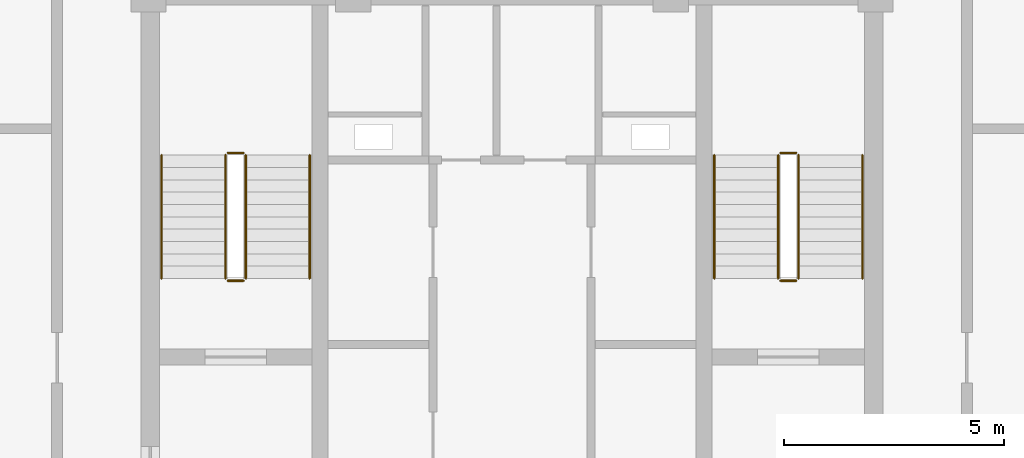
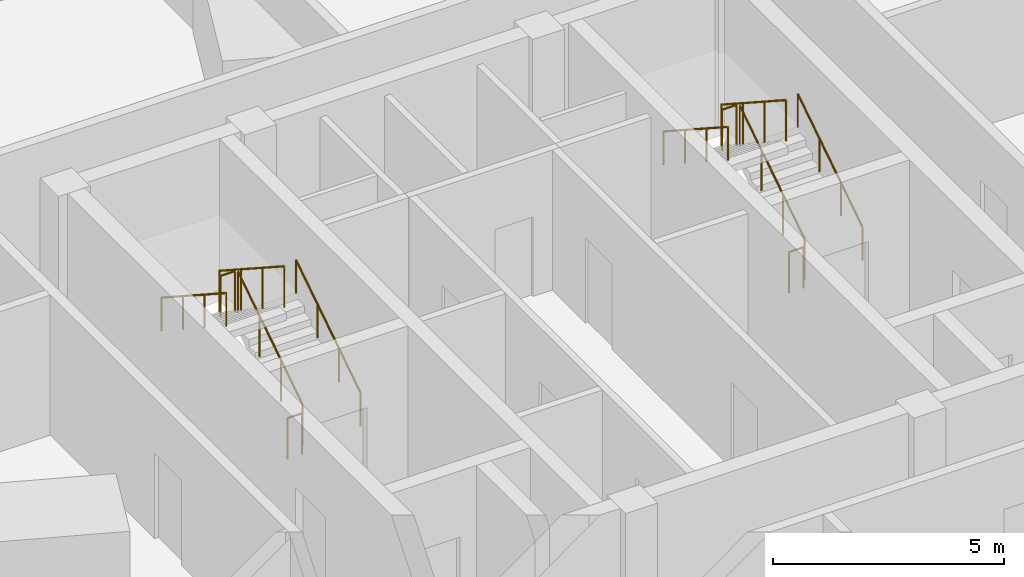
# One storey, part 25 of 26: 12 railings.
"""IFC4 building model written with IfcOpenShell, lengths in metres."""

import ifcopenshell
import ifcopenshell.guid

model = None  # the IFC model being written
_history = None  # IfcOwnerHistory: only IFC2X3 demands one
_inside = {}  # id of a spatial element -> (the spatial element, [elements in it])
_under = {}  # id of a project, library or spatial element -> (it, [spatial elements below it])
_declared = {}  # id of a project -> (the project, [libraries it declares])
_typed = {}  # id of a type object -> (the type object, [elements of that type])
_made_of = {}  # id of a material, layer set ... -> (it, [elements and type objects made of it])


def new_model(schema):
    """Start an empty IFC model of exactly this schema.

    Asked for "IFC4X3", IfcOpenShell would pick the latest addendum, in which some entities
    have other attributes; the version numbers below select the first issue.
    IFC2X3 requires an IfcOwnerHistory on every rooted entity: one is made here for all.
    """
    global model, _history
    if schema == "IFC4X3":
        model = ifcopenshell.file(schema_version=(4, 3, 0, 0))
    else:
        model = ifcopenshell.file(schema=schema)
    _inside.clear()
    _under.clear()
    _declared.clear()
    _typed.clear()
    _made_of.clear()
    _history = None
    if model.schema == "IFC2X3":
        org = make("IfcOrganization", Name="unknown")
        user = make(
            "IfcPersonAndOrganization",
            ThePerson=make("IfcPerson", FamilyName="unknown"),
            TheOrganization=org,
        )
        app = make(
            "IfcApplication",
            ApplicationDeveloper=org,
            Version="unknown",
            ApplicationFullName="unknown",
            ApplicationIdentifier="unknown",
        )
        _history = make(
            "IfcOwnerHistory",
            OwningUser=user,
            OwningApplication=app,
            ChangeAction="ADDED",
            CreationDate=0,
        )
    return model


def make(cls, **values):
    """One entity of the class cls with the attributes given. An attribute that is None is left unset."""
    return model.create_entity(
        cls, **{name: value for name, value in values.items() if value is not None}
    )


def rooted(cls, **values):
    """An entity with a GlobalId (a new one), such as an element, a storey or a relation."""
    return make(cls, GlobalId=ifcopenshell.guid.new(), OwnerHistory=_history, **values)


def si_unit(unit_type, name, prefix=None):
    """IfcSIUnit, for example si_unit("LENGTHUNIT", "METRE", prefix="MILLI")."""
    return make("IfcSIUnit", UnitType=unit_type, Prefix=prefix, Name=name)


def assignment(units):
    """IfcUnitAssignment: the units of a project."""
    return None if units is None else make("IfcUnitAssignment", Units=units)


def point(xyz):
    """IfcCartesianPoint."""
    return None if xyz is None else make("IfcCartesianPoint", Coordinates=xyz)


def direction(xyz):
    """IfcDirection."""
    return None if xyz is None else make("IfcDirection", DirectionRatios=xyz)


def frame(location, z_axis=None, x_axis=None):
    """IfcAxis2Placement3D, a coordinate frame: its origin and axes. An axis left out is left unset."""
    return make(
        "IfcAxis2Placement3D",
        Location=point(location),
        Axis=direction(z_axis),
        RefDirection=direction(x_axis),
    )


def frame_2d(location, x_axis=None):
    """IfcAxis2Placement2D, a coordinate frame in the plane: its origin and x axis."""
    return make(
        "IfcAxis2Placement2D", Location=point(location), RefDirection=direction(x_axis)
    )


def origin():
    """The frame at (0, 0, 0) with its axes left unset."""
    return frame((0.0, 0.0, 0.0))


def origin_2d():
    """The frame at (0, 0) in the plane with its x axis left unset."""
    return frame_2d((0.0, 0.0))


def place(relative_to, where):
    """IfcLocalPlacement: puts the frame where relative to a parent placement (None: the world)."""
    return make(
        "IfcLocalPlacement", PlacementRelTo=relative_to, RelativePlacement=where
    )


def context(
    kind, dimensions, precision=None, world=None, true_north=None, identifier=None
):
    """IfcGeometricRepresentationContext, for example the 3D "Model" context."""
    return make(
        "IfcGeometricRepresentationContext",
        ContextIdentifier=identifier,
        ContextType=kind,
        CoordinateSpaceDimension=dimensions,
        Precision=precision,
        WorldCoordinateSystem=world,
        TrueNorth=true_north,
    )


def subcontext(parent, identifier, kind, view, scale=None):
    """IfcGeometricRepresentationSubContext, for example "Body" below "Model"."""
    return make(
        "IfcGeometricRepresentationSubContext",
        ContextIdentifier=identifier,
        ContextType=kind,
        ParentContext=parent,
        TargetScale=scale,
        TargetView=view,
    )


def project(units=None, contexts=None):
    """IfcProject with its units and contexts."""
    return rooted(
        "IfcProject",
        Name="project",
        RepresentationContexts=contexts,
        UnitsInContext=assignment(units),
    )


def spatial(cls, under=None, at=None, **own):
    """A site, building, storey or space (cls), placed at a placement, below another one or the project."""
    s = rooted(cls, ObjectPlacement=at, **own)
    if under is not None:
        _under.setdefault(under.id(), (under, []))[1].append(s)
    return s


def profile(cls, at=None, kind="AREA", **sizes):
    """A parametric profile (cls). Its sizes go by their IFC names, for example OverallWidth=200.0."""
    return make(cls, ProfileType=kind, Position=at, **sizes)


def circle(**sizes):
    """IfcCircleProfileDef."""
    return profile("IfcCircleProfileDef", **sizes)


def extrude(swept, where, along, depth):
    """IfcExtrudedAreaSolid: the profile swept, set in the frame where, extruded along a direction by depth."""
    return make(
        "IfcExtrudedAreaSolid",
        SweptArea=swept,
        Position=where,
        ExtrudedDirection=direction(along),
        Depth=depth,
    )


def shape(context_of_items, identifier, shape_type, items):
    """IfcShapeRepresentation: the items that make up one representation, for example the "Body"."""
    return make(
        "IfcShapeRepresentation",
        ContextOfItems=context_of_items,
        RepresentationIdentifier=identifier,
        RepresentationType=shape_type,
        Items=items,
    )


def source(mapping_origin, context_of_items, identifier, shape_type, items):
    """IfcRepresentationMap: a shape defined once, which mapped items show again and again."""
    return make(
        "IfcRepresentationMap",
        MappingOrigin=mapping_origin,
        MappedRepresentation=shape(context_of_items, identifier, shape_type, items),
    )


def transform(
    local_origin,
    x_axis=None,
    y_axis=None,
    z_axis=None,
    scale=None,
    scale2=None,
    scale3=None,
    uniform=True,
):
    """IfcCartesianTransformationOperator3D, or its non-uniform kind. x_axis, y_axis, z_axis: its Axis1, 2, 3."""
    if uniform:
        return make(
            "IfcCartesianTransformationOperator3D",
            Axis1=direction(x_axis),
            Axis2=direction(y_axis),
            LocalOrigin=point(local_origin),
            Scale=scale,
            Axis3=direction(z_axis),
        )
    return make(
        "IfcCartesianTransformationOperator3DnonUniform",
        Axis1=direction(x_axis),
        Axis2=direction(y_axis),
        LocalOrigin=point(local_origin),
        Scale=scale,
        Axis3=direction(z_axis),
        Scale2=scale2,
        Scale3=scale3,
    )


def mapped(mapping_source, mapping_target):
    """IfcMappedItem: shows the shape of a source again, moved by a transform."""
    return make(
        "IfcMappedItem", MappingSource=mapping_source, MappingTarget=mapping_target
    )


def material(Name=None, Category=None):
    """IfcMaterial."""
    return make("IfcMaterial", Name=Name, Category=Category)


def made_of(thing, what):
    """Note that an element or type object is made of a material, layer set ...; save() writes the relation."""
    if what is not None:
        _made_of.setdefault(what.id(), (what, []))[1].append(thing)
    return thing


def type_object(cls, material=None, **own):
    """A type object (cls), such as IfcWallType, which elements share."""
    return made_of(rooted(cls, **own), material)


def element(
    cls,
    number,
    at=None,
    inside=None,
    cuts=None,
    type_object=None,
    material=None,
    context=None,
    identifier="Body",
    shape_type=None,
    held_by="IfcProductDefinitionShape",
    body=None,
    shapes=None,
    **own,
):
    """One element of the class cls, such as IfcWall. Its Tag is "e" and its number.

    at: its placement. inside: the storey or other place that contains it. cuts: it is an
    opening in that element (IfcRelVoidsElement). A single representation is given by context,
    identifier, shape_type and body (its items); several are given by shapes. held_by: the class
    of the entity that holds the representations. save() writes the other relations.
    """
    e = rooted(cls, Tag="e%d" % number, ObjectPlacement=at, **own)
    if body is not None:
        shapes = [shape(context, identifier, shape_type, body)]
    if shapes is not None:
        e.Representation = make(held_by, Representations=shapes)
    if inside is not None:
        _inside.setdefault(inside.id(), (inside, []))[1].append(e)
    if cuts is not None:
        rooted(
            "IfcRelVoidsElement", RelatingBuildingElement=cuts, RelatedOpeningElement=e
        )
    if type_object is not None:
        _typed.setdefault(type_object.id(), (type_object, []))[1].append(e)
    return made_of(e, material)


def aggregate(whole, parts):
    """IfcRelAggregates: a whole, such as a stair, and the parts it consists of."""
    return rooted("IfcRelAggregates", RelatingObject=whole, RelatedObjects=parts)


def save(model, path):
    """Write the relations noted so far, then the file.

    IfcRelAggregates (storeys below a building ...), IfcRelContainedInSpatialStructure (elements
    in a storey), IfcRelDefinesByType, IfcRelAssociatesMaterial and IfcRelDeclares: one each for
    every whole, place, type object, material and project.
    """
    for whole, parts in _under.values():
        aggregate(whole, parts)
    for where, things in _inside.values():
        rooted(
            "IfcRelContainedInSpatialStructure",
            RelatedElements=things,
            RelatingStructure=where,
        )
    for kind, things in _typed.values():
        rooted("IfcRelDefinesByType", RelatedObjects=things, RelatingType=kind)
    for what, things in _made_of.values():
        rooted("IfcRelAssociatesMaterial", RelatedObjects=things, RelatingMaterial=what)
    for by, libraries in _declared.values():
        rooted("IfcRelDeclares", RelatingContext=by, RelatedDefinitions=libraries)
    model.write(path)


model = new_model("IFC4")

# Units and contexts
model_context = context("Model", 3, precision=1e-05, world=origin(), true_north=direction((0.0, 1.0)))
body_context = subcontext(model_context, "Body", "Model", "MODEL_VIEW")
ifc_project = project(units=[si_unit("LENGTHUNIT", "METRE"), si_unit("AREAUNIT", "SQUARE_METRE"), si_unit("VOLUMEUNIT", "CUBIC_METRE"), si_unit("PLANEANGLEUNIT", "RADIAN"), si_unit("MASSUNIT", "GRAM", prefix="KILO"), si_unit("THERMODYNAMICTEMPERATUREUNIT", "KELVIN")], contexts=[model_context])

# Site, building, storey
site_placement = place(None, origin())
site = spatial("IfcSite", under=ifc_project, at=site_placement, CompositionType="ELEMENT")
building_placement = place(site_placement, origin())
building = spatial("IfcBuilding", under=site, at=building_placement, Name="Kosmvard Interchange Tower", CompositionType="ELEMENT")
storey_placement = place(building_placement, frame((0.0, 0.0, 325.60009765625)))
storey = spatial("IfcBuildingStorey", under=building, at=storey_placement, Name="L80", CompositionType="ELEMENT", Elevation=325.60009765625)

# Railings
ifc_material = material(Name="Steel S355", Category="steel")
railing_type_1 = type_object("IfcRailingType", Name="Stair & Terrace Safety Guardrail 1100 Steel", PredefinedType="GUARDRAIL", material=ifc_material)
shared_shape_1 = source(origin(), body_context, "Body", "SweptSolid", [
    extrude(circle(Radius=0.02392578125, at=origin_2d()), frame((0.0, 0.0, 1.076171875), z_axis=(-1.0, 0.0, 0.0), x_axis=(0.0, -1.0, 0.0)), (0.0, 0.0, 1.0), 0.35986328125),
    extrude(circle(Radius=0.02099609375, at=origin_2d()), origin(), (0.0, 0.0, 1.0), 1.052001953125),
    extrude(circle(Radius=0.02099609375, at=origin_2d()), frame((-0.35986328125, 0.0, 0.0)), (0.0, 0.0, 1.0), 1.052001953125),
])
for number, where, name in (
    (1, (-6.090087890625, 4.64990234375, 2.0), "L80 ST-1 stair guard 2"),
    (2, (-6.090087890625, 1.75, 0.0), "L80 ST-1 stair guard 4"),
    (3, (6.449951171875, 4.64990234375, 2.0), "L80 ST-2 stair guard 2"),
    (4, (6.449951171875, 1.75, 0.0), "L80 ST-2 stair guard 4"),
):
    element("IfcRailing", number, at=place(storey_placement, frame(where)), inside=storey, type_object=railing_type_1, Name=name, PredefinedType="GUARDRAIL", context=body_context, shape_type="MappedRepresentation", body=[
        mapped(shared_shape_1, transform((0.0, 0.0, 0.0), scale=1.0)),
    ])
shared_shape_2 = source(origin(), body_context, "Body", "SweptSolid", [
    extrude(circle(Radius=0.02392578125, at=origin_2d()), frame((0.0, 0.0, 1.076171875), z_axis=(0.0, 0.838672427954, 0.544636170843), x_axis=(-1.0, 0.0, 0.0)), (0.0, 0.0, 1.0), 3.338623046875),
    extrude(circle(Radius=0.02099609375, at=origin_2d()), origin(), (0.0, 0.0, 1.0), 1.052001953125),
    extrude(circle(Radius=0.02099609375, at=origin_2d()), frame((0.0, 0.933349609375, 0.606201171875)), (0.0, 0.0, 1.0), 1.052001953125),
    extrude(circle(Radius=0.02099609375, at=origin_2d()), frame((0.0, 1.86669921875, 1.212158203125)), (0.0, 0.0, 1.0), 1.052001953125),
    extrude(circle(Radius=0.02099609375, at=origin_2d()), frame((0.0, 2.800048828125, 1.818359375)), (0.0, 0.0, 1.0), 1.052001953125),
])
for number, where, name in (
    (5, (-6.0400390625, 1.800048828125, 0.181640625), "L80 ST-1 stair guard 1"),
    (6, (6.5, 1.800048828125, 0.181640625), "L80 ST-2 stair guard 1"),
):
    element("IfcRailing", number, at=place(storey_placement, frame(where)), inside=storey, type_object=railing_type_1, Name=name, PredefinedType="GUARDRAIL", context=body_context, shape_type="MappedRepresentation", body=[
        mapped(shared_shape_2, transform((0.0, 0.0, 0.0), scale=1.0)),
    ])
shared_shape_3 = source(origin(), body_context, "Body", "SweptSolid", [
    extrude(circle(Radius=0.02392578125, at=origin_2d()), frame((0.0, 0.0, 1.076171875), z_axis=(0.0, -0.838672427954, 0.544636170843), x_axis=(1.0, 0.0, 0.0)), (0.0, 0.0, 1.0), 3.338623046875),
    extrude(circle(Radius=0.02099609375, at=origin_2d()), origin(), (0.0, 0.0, 1.0), 1.052001953125),
    extrude(circle(Radius=0.02099609375, at=origin_2d()), frame((0.0, -0.933349609375, 0.606201171875)), (0.0, 0.0, 1.0), 1.052001953125),
    extrude(circle(Radius=0.02099609375, at=origin_2d()), frame((0.0, -1.86669921875, 1.212158203125)), (0.0, 0.0, 1.0), 1.052001953125),
    extrude(circle(Radius=0.02099609375, at=origin_2d()), frame((0.0, -2.800048828125, 1.818359375)), (0.0, 0.0, 1.0), 1.052001953125),
])
for number, where, name in (
    (7, (-6.5, 4.60009765625, 2.181640625), "L80 ST-1 stair guard 3"),
    (8, (6.0400390625, 4.60009765625, 2.181640625), "L80 ST-2 stair guard 3"),
):
    element("IfcRailing", number, at=place(storey_placement, frame(where)), inside=storey, type_object=railing_type_1, Name=name, PredefinedType="GUARDRAIL", context=body_context, shape_type="MappedRepresentation", body=[
        mapped(shared_shape_3, transform((0.0, 0.0, 0.0), scale=1.0)),
    ])
railing_type_2 = type_object("IfcRailingType", Name="Wall-Mounted Stair Handrail 900 Steel", PredefinedType="HANDRAIL", material=ifc_material)
shared_shape_4 = source(origin(), body_context, "Body", "SweptSolid", [
    extrude(circle(Radius=0.02392578125, at=origin_2d()), frame((0.0, 0.0, 0.8759765625), z_axis=(0.0, 0.838672427954, 0.544636170843), x_axis=(-1.0, 0.0, 0.0)), (0.0, 0.0, 1.0), 3.338623046875),
    extrude(circle(Radius=0.02099609375, at=origin_2d()), origin(), (0.0, 0.0, 1.0), 0.851806640625),
    extrude(circle(Radius=0.02099609375, at=origin_2d()), frame((0.0, 0.933349609375, 0.606201171875)), (0.0, 0.0, 1.0), 0.851806640625),
    extrude(circle(Radius=0.02099609375, at=origin_2d()), frame((0.0, 1.86669921875, 1.212158203125)), (0.0, 0.0, 1.0), 0.851806640625),
    extrude(circle(Radius=0.02099609375, at=origin_2d()), frame((0.0, 2.800048828125, 1.818359375)), (0.0, 0.0, 1.0), 0.851806640625),
])
for number, where, name in (
    (9, (-4.590087890625, 1.800048828125, 0.181640625), "L80 ST-1 stair handrail 1"),
    (10, (7.949951171875, 1.800048828125, 0.181640625), "L80 ST-2 stair handrail 1"),
):
    element("IfcRailing", number, at=place(storey_placement, frame(where)), inside=storey, type_object=railing_type_2, Name=name, PredefinedType="HANDRAIL", context=body_context, shape_type="MappedRepresentation", body=[
        mapped(shared_shape_4, transform((0.0, 0.0, 0.0), scale=1.0)),
    ])
shared_shape_5 = source(origin(), body_context, "Body", "SweptSolid", [
    extrude(circle(Radius=0.02392578125, at=origin_2d()), frame((0.0, 0.0, 0.8759765625), z_axis=(0.0, -0.838672427954, 0.544636170843), x_axis=(1.0, 0.0, 0.0)), (0.0, 0.0, 1.0), 3.338623046875),
    extrude(circle(Radius=0.02099609375, at=origin_2d()), origin(), (0.0, 0.0, 1.0), 0.851806640625),
    extrude(circle(Radius=0.02099609375, at=origin_2d()), frame((0.0, -0.933349609375, 0.606201171875)), (0.0, 0.0, 1.0), 0.851806640625),
    extrude(circle(Radius=0.02099609375, at=origin_2d()), frame((0.0, -1.86669921875, 1.212158203125)), (0.0, 0.0, 1.0), 0.851806640625),
    extrude(circle(Radius=0.02099609375, at=origin_2d()), frame((0.0, -2.800048828125, 1.818359375)), (0.0, 0.0, 1.0), 0.851806640625),
])
for number, where, name in (
    (11, (-7.949951171875, 4.60009765625, 2.181640625), "L80 ST-1 stair handrail 2"),
    (12, (4.590087890625, 4.60009765625, 2.181640625), "L80 ST-2 stair handrail 2"),
):
    element("IfcRailing", number, at=place(storey_placement, frame(where)), inside=storey, type_object=railing_type_2, Name=name, PredefinedType="HANDRAIL", context=body_context, shape_type="MappedRepresentation", body=[
        mapped(shared_shape_5, transform((0.0, 0.0, 0.0), scale=1.0)),
    ])

save(model, "model.ifc")
